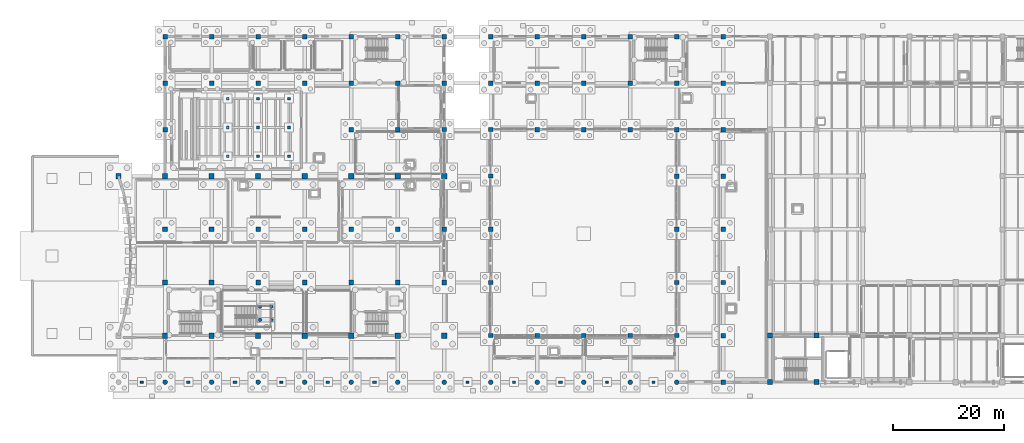
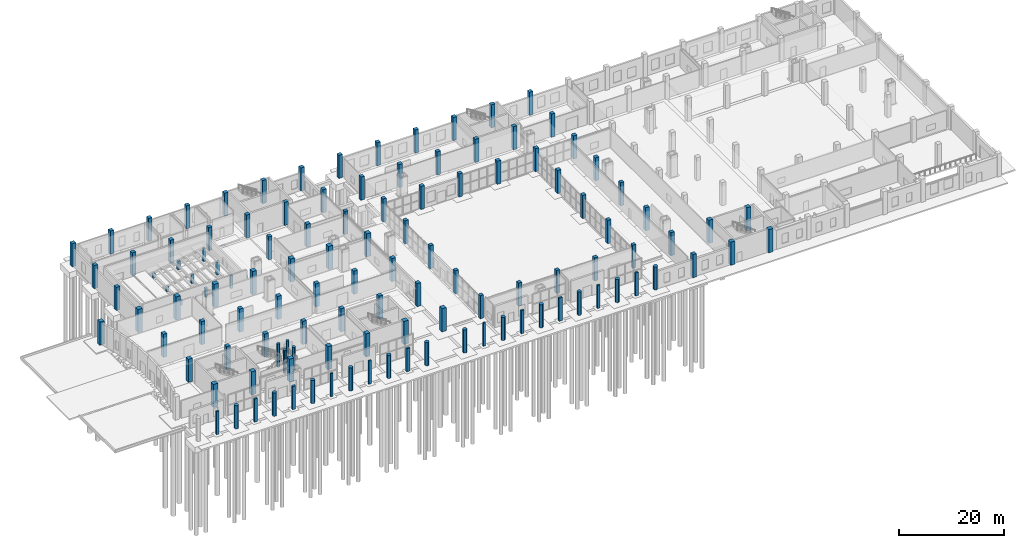
# One storey, part 8 of 65: 121 columns.
"""IFC4 building model written with IfcOpenShell, lengths in metres."""

from ifc_helpers import new_model, si_unit, direction, frame, origin, origin_2d, place, context, subcontext, project, spatial, rectangle, circle, extrude, material, material_profile, profile_set, type_object, element, save


model = new_model("IFC4")

# Units and contexts
model_context = context("Model", 3, precision=1e-05, world=origin(), true_north=direction((0.0, 1.0)))
body_context = subcontext(model_context, "Body", "Model", "MODEL_VIEW")
ifc_project = project(units=[si_unit("LENGTHUNIT", "METRE"), si_unit("AREAUNIT", "SQUARE_METRE"), si_unit("VOLUMEUNIT", "CUBIC_METRE"), si_unit("PLANEANGLEUNIT", "RADIAN"), si_unit("MASSUNIT", "GRAM", prefix="KILO")], contexts=[model_context])

# Site, building, storey
site_placement = place(None, origin())
site = spatial("IfcSite", under=ifc_project, at=site_placement, CompositionType="ELEMENT")
building_placement = place(site_placement, origin())
building = spatial("IfcBuilding", under=site, at=building_placement, Name="Zulmaris Art Gallery", CompositionType="ELEMENT")
storey_placement = place(building_placement, origin())
storey = spatial("IfcBuildingStorey", under=building, at=storey_placement, Name="L00", CompositionType="ELEMENT", Elevation=0.0)

# Columns
ifc_material_1 = material(Name="Concrete C40/50", Category="concrete")
ifc_material_profile_1 = material_profile(ifc_material_1, circle(Radius=0.324951171875, at=origin_2d()), Name="COL DIA 650")
ifc_profile_set_1 = profile_set([ifc_material_profile_1], Name="Concrete C40/50")
column_type_1 = type_object("IfcColumnType", Name="COL-COL-DIA-650", PredefinedType="COLUMN", material=ifc_profile_set_1)
for number, where, z_axis, x_axis, name in (
    (1, (49.550048828125, 24.449951171875, 0.0), (0.0, 0.0, 1.0), (1.0, 0.0, 0.0), "Grand stair ST6 L00 landing column 1"),
    (2, (51.550048828125, 24.449951171875, 0.0), (0.0, 0.0, 1.0), (1.0, 0.0, 0.0), "Grand stair ST6 L00 landing column 2"),
    (3, (49.550048828125, 26.85009765625, 0.0), (0.0, 0.0, 1.0), (1.0, 0.0, 0.0), "Grand stair ST6 L00 landing column 3"),
    (4, (51.550048828125, 26.85009765625, 0.0), (0.0, 0.0, 1.0), (1.0, 0.0, 0.0), "Grand stair ST6 L00 landing column 4"),
):
    element("IfcColumn", number, at=place(storey_placement, frame(where, z_axis=z_axis, x_axis=x_axis)), inside=storey, type_object=column_type_1, Name=name, PredefinedType="COLUMN", context=body_context, shape_type="SweptSolid", body=[
        extrude(circle(Radius=0.324951171875, at=origin_2d()), origin(), (0.0, 0.0, 1.0), 5.39990234375),
    ])
ifc_material_2 = material(Name="Concrete C50/60", Category="concrete")
ifc_material_profile_2 = material_profile(ifc_material_2, circle(Radius=0.425048828125, at=origin_2d()), Name="COL DIA 850")
ifc_profile_set_2 = profile_set([ifc_material_profile_2], Name="Concrete C50/60")
column_type_2 = type_object("IfcColumnType", Name="COL-COL-DIA-850", PredefinedType="COLUMN", material=ifc_profile_set_2)
for number, where, z_axis, x_axis, name in (
    (5, (32.39990234375, 13.199951171875, 0.0), (0.0, 0.0, 1.0), (1.0, 0.0, 0.0), "L00 structural column (32.4, 13.2)"),
    (6, (40.800048828125, 13.199951171875, 0.0), (0.0, 0.0, 1.0), (1.0, 0.0, 0.0), "L00 structural column (40.8, 13.2)"),
    (7, (49.199951171875, 13.199951171875, 0.0), (0.0, 0.0, 1.0), (1.0, 0.0, 0.0), "L00 structural column (49.2, 13.2)"),
    (8, (57.60009765625, 13.199951171875, 0.0), (0.0, 0.0, 1.0), (1.0, 0.0, 0.0), "L00 structural column (57.6, 13.2)"),
    (9, (66.0, 13.199951171875, 0.0), (0.0, 0.0, 1.0), (1.0, 0.0, 0.0), "L00 structural column (66.0, 13.2)"),
    (10, (74.39990234375, 13.199951171875, 0.0), (0.0, 0.0, 1.0), (1.0, 0.0, 0.0), "L00 structural column (74.4, 13.2)"),
    (11, (82.800048828125, 13.199951171875, 0.0), (0.0, 0.0, 1.0), (1.0, 0.0, 0.0), "L00 structural column (82.8, 13.2)"),
    (12, (91.199951171875, 13.199951171875, 0.0), (0.0, 0.0, 1.0), (1.0, 0.0, 0.0), "L00 structural column (91.2, 13.2)"),
    (13, (99.60009765625, 13.199951171875, 0.0), (0.0, 0.0, 1.0), (1.0, 0.0, 0.0), "L00 structural column (99.6, 13.2)"),
    (14, (108.0, 13.199951171875, 0.0), (0.0, 0.0, 1.0), (1.0, 0.0, 0.0), "L00 structural column (108.0, 13.2)"),
    (15, (116.39990234375, 13.199951171875, 0.0), (0.0, 0.0, 1.0), (1.0, 0.0, 0.0), "L00 structural column (116.4, 13.2)"),
    (16, (124.800048828125, 13.199951171875, 0.0), (0.0, 0.0, 1.0), (1.0, 0.0, 0.0), "L00 structural column (124.8, 13.2)"),
):
    element("IfcColumn", number, at=place(storey_placement, frame(where, z_axis=z_axis, x_axis=x_axis)), inside=storey, type_object=column_type_2, Name=name, PredefinedType="COLUMN", context=body_context, shape_type="SweptSolid", body=[
        extrude(circle(Radius=0.425048828125, at=origin_2d()), origin(), (0.0, 0.0, 1.0), 5.39990234375),
    ])
ifc_material_profile_3 = material_profile(ifc_material_1, rectangle(XDim=0.5, YDim=0.5, at=origin_2d()), Name="RC 500x500")
ifc_profile_set_3 = profile_set([ifc_material_profile_3], Name="Concrete C40/50")
column_type_3 = type_object("IfcColumnType", Name="COL-RC-500x500", PredefinedType="COLUMN", material=ifc_profile_set_3)
column_1_placement = place(storey_placement, frame((43.699951171875, 54.0, 0.0), z_axis=(0.0, 0.0, 1.0), x_axis=(1.0, 0.0, 0.0)))
element("IfcColumn", 17, at=column_1_placement, inside=storey, type_object=column_type_3, Name="Auditorium raker column 1-1", PredefinedType="COLUMN", context=body_context, shape_type="SweptSolid", body=[
    extrude(rectangle(XDim=0.5, YDim=0.5, at=origin_2d()), origin(), (0.0, 0.0, 1.0), 1.131591796875),
])
column_2_placement = place(storey_placement, frame((49.199951171875, 54.0, 0.0), z_axis=(0.0, 0.0, 1.0), x_axis=(1.0, 0.0, 0.0)))
element("IfcColumn", 18, at=column_2_placement, inside=storey, type_object=column_type_3, Name="Auditorium raker column 1-2", PredefinedType="COLUMN", context=body_context, shape_type="SweptSolid", body=[
    extrude(rectangle(XDim=0.5, YDim=0.5, at=origin_2d()), origin(), (0.0, 0.0, 1.0), 2.0556640625),
])
column_3_placement = place(storey_placement, frame((54.800048828125, 54.0, 0.0), z_axis=(0.0, 0.0, 1.0), x_axis=(1.0, 0.0, 0.0)))
element("IfcColumn", 19, at=column_3_placement, inside=storey, type_object=column_type_3, Name="Auditorium raker column 1-3", PredefinedType="COLUMN", context=body_context, shape_type="SweptSolid", body=[
    extrude(rectangle(XDim=0.5, YDim=0.5, at=origin_2d()), origin(), (0.0, 0.0, 1.0), 2.996337890625),
])
column_4_placement = place(storey_placement, frame((43.699951171875, 59.199951171875, 0.0), z_axis=(0.0, 0.0, 1.0), x_axis=(1.0, 0.0, 0.0)))
element("IfcColumn", 20, at=column_4_placement, inside=storey, type_object=column_type_3, Name="Auditorium raker column 2-1", PredefinedType="COLUMN", context=body_context, shape_type="SweptSolid", body=[
    extrude(rectangle(XDim=0.5, YDim=0.5, at=origin_2d()), origin(), (0.0, 0.0, 1.0), 1.131591796875),
])
column_5_placement = place(storey_placement, frame((49.199951171875, 59.199951171875, 0.0), z_axis=(0.0, 0.0, 1.0), x_axis=(1.0, 0.0, 0.0)))
element("IfcColumn", 21, at=column_5_placement, inside=storey, type_object=column_type_3, Name="Auditorium raker column 2-2", PredefinedType="COLUMN", context=body_context, shape_type="SweptSolid", body=[
    extrude(rectangle(XDim=0.5, YDim=0.5, at=origin_2d()), origin(), (0.0, 0.0, 1.0), 2.0556640625),
])
column_6_placement = place(storey_placement, frame((54.800048828125, 59.199951171875, 0.0), z_axis=(0.0, 0.0, 1.0), x_axis=(1.0, 0.0, 0.0)))
element("IfcColumn", 22, at=column_6_placement, inside=storey, type_object=column_type_3, Name="Auditorium raker column 2-3", PredefinedType="COLUMN", context=body_context, shape_type="SweptSolid", body=[
    extrude(rectangle(XDim=0.5, YDim=0.5, at=origin_2d()), origin(), (0.0, 0.0, 1.0), 2.996337890625),
])
column_7_placement = place(storey_placement, frame((43.699951171875, 64.39990234375, 0.0), z_axis=(0.0, 0.0, 1.0), x_axis=(1.0, 0.0, 0.0)))
element("IfcColumn", 23, at=column_7_placement, inside=storey, type_object=column_type_3, Name="Auditorium raker column 3-1", PredefinedType="COLUMN", context=body_context, shape_type="SweptSolid", body=[
    extrude(rectangle(XDim=0.5, YDim=0.5, at=origin_2d()), origin(), (0.0, 0.0, 1.0), 1.131591796875),
])
column_8_placement = place(storey_placement, frame((49.199951171875, 64.39990234375, 0.0), z_axis=(0.0, 0.0, 1.0), x_axis=(1.0, 0.0, 0.0)))
element("IfcColumn", 24, at=column_8_placement, inside=storey, type_object=column_type_3, Name="Auditorium raker column 3-2", PredefinedType="COLUMN", context=body_context, shape_type="SweptSolid", body=[
    extrude(rectangle(XDim=0.5, YDim=0.5, at=origin_2d()), origin(), (0.0, 0.0, 1.0), 2.0556640625),
])
column_9_placement = place(storey_placement, frame((54.800048828125, 64.39990234375, 0.0), z_axis=(0.0, 0.0, 1.0), x_axis=(1.0, 0.0, 0.0)))
element("IfcColumn", 25, at=column_9_placement, inside=storey, type_object=column_type_3, Name="Auditorium raker column 3-3", PredefinedType="COLUMN", context=body_context, shape_type="SweptSolid", body=[
    extrude(rectangle(XDim=0.5, YDim=0.5, at=origin_2d()), origin(), (0.0, 0.0, 1.0), 2.996337890625),
])
ifc_material_profile_4 = material_profile(ifc_material_1, rectangle(XDim=0.75, YDim=0.75, at=origin_2d()), Name="RC 750x750")
ifc_profile_set_4 = profile_set([ifc_material_profile_4], Name="Concrete C40/50")
column_type_4 = type_object("IfcColumnType", Name="COL-RC-750x750", PredefinedType="COLUMN", material=ifc_profile_set_4)
for number, where, z_axis, x_axis, name in (
    (26, (82.800048828125, 58.800048828125, 0.0), (0.0, 0.0, 1.0), (1.0, 0.0, 0.0), "L00 structural column (82.8, 58.8)"),
    (27, (91.199951171875, 21.60009765625, 0.0), (0.0, 0.0, 1.0), (1.0, 0.0, 0.0), "L00 structural column (91.2, 21.6)"),
    (28, (91.199951171875, 31.199951171875, 0.0), (0.0, 0.0, 1.0), (1.0, 0.0, 0.0), "L00 structural column (91.2, 31.2)"),
    (29, (91.199951171875, 40.800048828125, 0.0), (0.0, 0.0, 1.0), (1.0, 0.0, 0.0), "L00 structural column (91.2, 40.8)"),
    (30, (91.199951171875, 50.39990234375, 0.0), (0.0, 0.0, 1.0), (1.0, 0.0, 0.0), "L00 structural column (91.2, 50.4)"),
    (31, (91.199951171875, 58.800048828125, 0.0), (0.0, 0.0, 1.0), (1.0, 0.0, 0.0), "L00 structural column (91.2, 58.8)"),
    (32, (99.60009765625, 21.60009765625, 0.0), (0.0, 0.0, 1.0), (1.0, 0.0, 0.0), "L00 structural column (99.6, 21.6)"),
    (33, (108.0, 21.60009765625, 0.0), (0.0, 0.0, 1.0), (1.0, 0.0, 0.0), "L00 structural column (108.0, 21.6)"),
    (34, (116.39990234375, 21.60009765625, 0.0), (0.0, 0.0, 1.0), (1.0, 0.0, 0.0), "L00 structural column (116.4, 21.6)"),
    (35, (124.800048828125, 21.60009765625, 0.0), (0.0, 0.0, 1.0), (1.0, 0.0, 0.0), "L00 structural column (124.8, 21.6)"),
):
    element("IfcColumn", number, at=place(storey_placement, frame(where, z_axis=z_axis, x_axis=x_axis)), inside=storey, type_object=column_type_4, Name=name, PredefinedType="COLUMN", context=body_context, shape_type="SweptSolid", body=[
        extrude(rectangle(XDim=0.75, YDim=0.75, at=origin_2d()), origin(), (0.0, 0.0, 1.0), 5.39990234375),
    ])
ifc_material_profile_5 = material_profile(ifc_material_1, rectangle(XDim=0.800048828125, YDim=0.800048828125, at=origin_2d()), Name="RC 800x800")
ifc_profile_set_5 = profile_set([ifc_material_profile_5], Name="Concrete C40/50")
column_type_5 = type_object("IfcColumnType", Name="COL-RC-800x800", PredefinedType="COLUMN", material=ifc_profile_set_5)
for number, where, z_axis, x_axis, name in (
    (36, (32.39990234375, 58.800048828125, 0.0), (0.0, 0.0, 1.0), (1.0, 0.0, 0.0), "L00 structural column (32.4, 58.8)"),
    (37, (32.39990234375, 67.199951171875, 0.0), (0.0, 0.0, 1.0), (1.0, 0.0, 0.0), "L00 structural column (32.4, 67.2)"),
    (38, (32.39990234375, 75.60009765625, 0.0), (0.0, 0.0, 1.0), (1.0, 0.0, 0.0), "L00 structural column (32.4, 75.6)"),
    (39, (40.800048828125, 67.199951171875, 0.0), (0.0, 0.0, 1.0), (1.0, 0.0, 0.0), "L00 structural column (40.8, 67.2)"),
    (40, (40.800048828125, 75.60009765625, 0.0), (0.0, 0.0, 1.0), (1.0, 0.0, 0.0), "L00 structural column (40.8, 75.6)"),
    (41, (49.199951171875, 67.199951171875, 0.0), (0.0, 0.0, 1.0), (1.0, 0.0, 0.0), "L00 structural column (49.2, 67.2)"),
    (42, (49.199951171875, 75.60009765625, 0.0), (0.0, 0.0, 1.0), (1.0, 0.0, 0.0), "L00 structural column (49.2, 75.6)"),
    (43, (57.60009765625, 67.199951171875, 0.0), (0.0, 0.0, 1.0), (1.0, 0.0, 0.0), "L00 structural column (57.6, 67.2)"),
    (44, (57.60009765625, 75.60009765625, 0.0), (0.0, 0.0, 1.0), (1.0, 0.0, 0.0), "L00 structural column (57.6, 75.6)"),
    (45, (66.0, 58.800048828125, 0.0), (0.0, 0.0, 1.0), (1.0, 0.0, 0.0), "L00 structural column (66.0, 58.8)"),
    (46, (66.0, 67.199951171875, 0.0), (0.0, 0.0, 1.0), (1.0, 0.0, 0.0), "L00 structural column (66.0, 67.2)"),
    (47, (66.0, 75.60009765625, 0.0), (0.0, 0.0, 1.0), (1.0, 0.0, 0.0), "L00 structural column (66.0, 75.6)"),
    (48, (74.39990234375, 58.800048828125, 0.0), (0.0, 0.0, 1.0), (1.0, 0.0, 0.0), "L00 structural column (74.4, 58.8)"),
    (49, (74.39990234375, 67.199951171875, 0.0), (0.0, 0.0, 1.0), (1.0, 0.0, 0.0), "L00 structural column (74.4, 67.2)"),
    (50, (74.39990234375, 75.60009765625, 0.0), (0.0, 0.0, 1.0), (1.0, 0.0, 0.0), "L00 structural column (74.4, 75.6)"),
    (51, (82.800048828125, 67.199951171875, 0.0), (0.0, 0.0, 1.0), (1.0, 0.0, 0.0), "L00 structural column (82.8, 67.2)"),
    (52, (82.800048828125, 75.60009765625, 0.0), (0.0, 0.0, 1.0), (1.0, 0.0, 0.0), "L00 structural column (82.8, 75.6)"),
    (53, (91.199951171875, 67.199951171875, 0.0), (0.0, 0.0, 1.0), (1.0, 0.0, 0.0), "L00 structural column (91.2, 67.2)"),
    (54, (91.199951171875, 75.60009765625, 0.0), (0.0, 0.0, 1.0), (1.0, 0.0, 0.0), "L00 structural column (91.2, 75.6)"),
    (55, (99.60009765625, 58.800048828125, 0.0), (0.0, 0.0, 1.0), (1.0, 0.0, 0.0), "L00 structural column (99.6, 58.8)"),
    (56, (99.60009765625, 67.199951171875, 0.0), (0.0, 0.0, 1.0), (1.0, 0.0, 0.0), "L00 structural column (99.6, 67.2)"),
    (57, (99.60009765625, 75.60009765625, 0.0), (0.0, 0.0, 1.0), (1.0, 0.0, 0.0), "L00 structural column (99.6, 75.6)"),
    (58, (108.0, 58.800048828125, 0.0), (0.0, 0.0, 1.0), (1.0, 0.0, 0.0), "L00 structural column (108.0, 58.8)"),
    (59, (108.0, 67.199951171875, 0.0), (0.0, 0.0, 1.0), (1.0, 0.0, 0.0), "L00 structural column (108.0, 67.2)"),
    (60, (108.0, 75.60009765625, 0.0), (0.0, 0.0, 1.0), (1.0, 0.0, 0.0), "L00 structural column (108.0, 75.6)"),
    (61, (116.39990234375, 58.800048828125, 0.0), (0.0, 0.0, 1.0), (1.0, 0.0, 0.0), "L00 structural column (116.4, 58.8)"),
    (62, (116.39990234375, 67.199951171875, 0.0), (0.0, 0.0, 1.0), (1.0, 0.0, 0.0), "L00 structural column (116.4, 67.2)"),
    (63, (116.39990234375, 75.60009765625, 0.0), (0.0, 0.0, 1.0), (1.0, 0.0, 0.0), "L00 structural column (116.4, 75.6)"),
    (64, (124.800048828125, 31.199951171875, 0.0), (0.0, 0.0, 1.0), (1.0, 0.0, 0.0), "L00 structural column (124.8, 31.2)"),
    (65, (124.800048828125, 40.800048828125, 0.0), (0.0, 0.0, 1.0), (1.0, 0.0, 0.0), "L00 structural column (124.8, 40.8)"),
    (66, (124.800048828125, 50.39990234375, 0.0), (0.0, 0.0, 1.0), (1.0, 0.0, 0.0), "L00 structural column (124.8, 50.4)"),
    (67, (124.800048828125, 58.800048828125, 0.0), (0.0, 0.0, 1.0), (1.0, 0.0, 0.0), "L00 structural column (124.8, 58.8)"),
    (68, (124.800048828125, 67.199951171875, 0.0), (0.0, 0.0, 1.0), (1.0, 0.0, 0.0), "L00 structural column (124.8, 67.2)"),
    (69, (124.800048828125, 75.60009765625, 0.0), (0.0, 0.0, 1.0), (1.0, 0.0, 0.0), "L00 structural column (124.8, 75.6)"),
    (70, (133.199951171875, 13.199951171875, 0.0), (0.0, 0.0, 1.0), (1.0, 0.0, 0.0), "L00 structural column (133.2, 13.2)"),
    (71, (133.199951171875, 21.60009765625, 0.0), (0.0, 0.0, 1.0), (1.0, 0.0, 0.0), "L00 structural column (133.2, 21.6)"),
    (72, (133.199951171875, 31.199951171875, 0.0), (0.0, 0.0, 1.0), (1.0, 0.0, 0.0), "L00 structural column (133.2, 31.2)"),
    (73, (133.199951171875, 40.800048828125, 0.0), (0.0, 0.0, 1.0), (1.0, 0.0, 0.0), "L00 structural column (133.2, 40.8)"),
    (74, (133.199951171875, 50.39990234375, 0.0), (0.0, 0.0, 1.0), (1.0, 0.0, 0.0), "L00 structural column (133.2, 50.4)"),
    (75, (133.199951171875, 58.800048828125, 0.0), (0.0, 0.0, 1.0), (1.0, 0.0, 0.0), "L00 structural column (133.2, 58.8)"),
    (76, (133.199951171875, 67.199951171875, 0.0), (0.0, 0.0, 1.0), (1.0, 0.0, 0.0), "L00 structural column (133.2, 67.2)"),
    (77, (133.199951171875, 75.60009765625, 0.0), (0.0, 0.0, 1.0), (1.0, 0.0, 0.0), "L00 structural column (133.2, 75.6)"),
):
    element("IfcColumn", number, at=place(storey_placement, frame(where, z_axis=z_axis, x_axis=x_axis)), inside=storey, type_object=column_type_5, Name=name, PredefinedType="COLUMN", context=body_context, shape_type="SweptSolid", body=[
        extrude(rectangle(XDim=0.800048828125, YDim=0.800048828125, at=origin_2d()), origin(), (0.0, 0.0, 1.0), 5.39990234375),
    ])
ifc_material_profile_6 = material_profile(ifc_material_2, rectangle(XDim=0.85009765625, YDim=0.85009765625, at=origin_2d()), Name="RC 850x850")
ifc_profile_set_6 = profile_set([ifc_material_profile_6], Name="Concrete C50/60")
column_type_6 = type_object("IfcColumnType", Name="COL-RC-850x850", PredefinedType="COLUMN", material=ifc_profile_set_6)
for number, where, z_axis, x_axis, name in (
    (78, (32.39990234375, 31.199951171875, 0.0), (0.0, 0.0, 1.0), (1.0, 0.0, 0.0), "L00 structural column (32.4, 31.2)"),
    (79, (32.39990234375, 40.800048828125, 0.0), (0.0, 0.0, 1.0), (1.0, 0.0, 0.0), "L00 structural column (32.4, 40.8)"),
    (80, (40.800048828125, 31.199951171875, 0.0), (0.0, 0.0, 1.0), (1.0, 0.0, 0.0), "L00 structural column (40.8, 31.2)"),
    (81, (40.800048828125, 40.800048828125, 0.0), (0.0, 0.0, 1.0), (1.0, 0.0, 0.0), "L00 structural column (40.8, 40.8)"),
    (82, (49.199951171875, 31.199951171875, 0.0), (0.0, 0.0, 1.0), (1.0, 0.0, 0.0), "L00 structural column (49.2, 31.2)"),
    (83, (49.199951171875, 40.800048828125, 0.0), (0.0, 0.0, 1.0), (1.0, 0.0, 0.0), "L00 structural column (49.2, 40.8)"),
    (84, (57.60009765625, 31.199951171875, 0.0), (0.0, 0.0, 1.0), (1.0, 0.0, 0.0), "L00 structural column (57.6, 31.2)"),
    (85, (57.60009765625, 40.800048828125, 0.0), (0.0, 0.0, 1.0), (1.0, 0.0, 0.0), "L00 structural column (57.6, 40.8)"),
    (86, (66.0, 31.199951171875, 0.0), (0.0, 0.0, 1.0), (1.0, 0.0, 0.0), "L00 structural column (66.0, 31.2)"),
    (87, (66.0, 40.800048828125, 0.0), (0.0, 0.0, 1.0), (1.0, 0.0, 0.0), "L00 structural column (66.0, 40.8)"),
    (88, (74.39990234375, 31.199951171875, 0.0), (0.0, 0.0, 1.0), (1.0, 0.0, 0.0), "L00 structural column (74.4, 31.2)"),
    (89, (74.39990234375, 40.800048828125, 0.0), (0.0, 0.0, 1.0), (1.0, 0.0, 0.0), "L00 structural column (74.4, 40.8)"),
    (90, (82.800048828125, 31.199951171875, 0.0), (0.0, 0.0, 1.0), (1.0, 0.0, 0.0), "L00 structural column (82.8, 31.2)"),
    (91, (82.800048828125, 40.800048828125, 0.0), (0.0, 0.0, 1.0), (1.0, 0.0, 0.0), "L00 structural column (82.8, 40.8)"),
):
    element("IfcColumn", number, at=place(storey_placement, frame(where, z_axis=z_axis, x_axis=x_axis)), inside=storey, type_object=column_type_6, Name=name, PredefinedType="COLUMN", context=body_context, shape_type="SweptSolid", body=[
        extrude(rectangle(XDim=0.85009765625, YDim=0.85009765625, at=origin_2d()), origin(), (0.0, 0.0, 1.0), 5.39990234375),
    ])
ifc_material_profile_7 = material_profile(ifc_material_2, rectangle(XDim=0.89990234375, YDim=0.89990234375, at=origin_2d()), Name="RC 900x900")
ifc_profile_set_7 = profile_set([ifc_material_profile_7], Name="Concrete C50/60")
column_type_7 = type_object("IfcColumnType", Name="COL-RC-900x900", PredefinedType="COLUMN", material=ifc_profile_set_7)
for number, where, z_axis, x_axis, name in (
    (92, (141.60009765625, 13.199951171875, 0.0), (0.0, 0.0, 1.0), (1.0, 0.0, 0.0), "L00 structural column (141.6, 13.2)"),
    (93, (141.60009765625, 21.60009765625, 0.0), (0.0, 0.0, 1.0), (1.0, 0.0, 0.0), "L00 structural column (141.6, 21.6)"),
    (94, (150.0, 13.199951171875, 0.0), (0.0, 0.0, 1.0), (1.0, 0.0, 0.0), "L00 structural column (150.0, 13.2)"),
    (95, (150.0, 21.60009765625, 0.0), (0.0, 0.0, 1.0), (1.0, 0.0, 0.0), "L00 structural column (150.0, 21.6)"),
):
    element("IfcColumn", number, at=place(storey_placement, frame(where, z_axis=z_axis, x_axis=x_axis)), inside=storey, type_object=column_type_7, Name=name, PredefinedType="COLUMN", context=body_context, shape_type="SweptSolid", body=[
        extrude(rectangle(XDim=0.89990234375, YDim=0.89990234375, at=origin_2d()), origin(), (0.0, 0.0, 1.0), 5.39990234375),
    ])
ifc_material_profile_8 = material_profile(ifc_material_2, rectangle(XDim=0.949951171875, YDim=0.949951171875, at=origin_2d()), Name="RC 950x950")
ifc_profile_set_8 = profile_set([ifc_material_profile_8], Name="Concrete C50/60")
column_type_8 = type_object("IfcColumnType", Name="COL-RC-950x950", PredefinedType="COLUMN", material=ifc_profile_set_8)
for number, where, z_axis, x_axis, name in (
    (96, (24.0, 50.39990234375, 0.0), (0.0, 0.0, 1.0), (1.0, 0.0, 0.0), "L00 structural column (24.0, 50.4)"),
    (97, (32.39990234375, 21.60009765625, 0.0), (0.0, 0.0, 1.0), (1.0, 0.0, 0.0), "L00 structural column (32.4, 21.6)"),
    (98, (32.39990234375, 50.39990234375, 0.0), (0.0, 0.0, 1.0), (1.0, 0.0, 0.0), "L00 structural column (32.4, 50.4)"),
    (99, (40.800048828125, 21.60009765625, 0.0), (0.0, 0.0, 1.0), (1.0, 0.0, 0.0), "L00 structural column (40.8, 21.6)"),
    (100, (40.800048828125, 50.39990234375, 0.0), (0.0, 0.0, 1.0), (1.0, 0.0, 0.0), "L00 structural column (40.8, 50.4)"),
    (101, (49.199951171875, 21.60009765625, 0.0), (0.0, 0.0, 1.0), (1.0, 0.0, 0.0), "L00 structural column (49.2, 21.6)"),
    (102, (49.199951171875, 50.39990234375, 0.0), (0.0, 0.0, 1.0), (1.0, 0.0, 0.0), "L00 structural column (49.2, 50.4)"),
    (103, (57.60009765625, 21.60009765625, 0.0), (0.0, 0.0, 1.0), (1.0, 0.0, 0.0), "L00 structural column (57.6, 21.6)"),
    (104, (57.60009765625, 50.39990234375, 0.0), (0.0, 0.0, 1.0), (1.0, 0.0, 0.0), "L00 structural column (57.6, 50.4)"),
    (105, (66.0, 21.60009765625, 0.0), (0.0, 0.0, 1.0), (1.0, 0.0, 0.0), "L00 structural column (66.0, 21.6)"),
    (106, (66.0, 50.39990234375, 0.0), (0.0, 0.0, 1.0), (1.0, 0.0, 0.0), "L00 structural column (66.0, 50.4)"),
    (107, (74.39990234375, 21.60009765625, 0.0), (0.0, 0.0, 1.0), (1.0, 0.0, 0.0), "L00 structural column (74.4, 21.6)"),
    (108, (74.39990234375, 50.39990234375, 0.0), (0.0, 0.0, 1.0), (1.0, 0.0, 0.0), "L00 structural column (74.4, 50.4)"),
    (109, (82.800048828125, 21.60009765625, 0.0), (0.0, 0.0, 1.0), (1.0, 0.0, 0.0), "L00 structural column (82.8, 21.6)"),
    (110, (82.800048828125, 50.39990234375, 0.0), (0.0, 0.0, 1.0), (1.0, 0.0, 0.0), "L00 structural column (82.8, 50.4)"),
):
    element("IfcColumn", number, at=place(storey_placement, frame(where, z_axis=z_axis, x_axis=x_axis)), inside=storey, type_object=column_type_8, Name=name, PredefinedType="COLUMN", context=body_context, shape_type="SweptSolid", body=[
        extrude(rectangle(XDim=0.949951171875, YDim=0.949951171875, at=origin_2d()), origin(), (0.0, 0.0, 1.0), 5.39990234375),
    ])
ifc_material_profile_9 = material_profile(ifc_material_1, rectangle(XDim=0.5, YDim=0.35009765625, at=origin_2d()), Name="PIL 500x350")
ifc_profile_set_9 = profile_set([ifc_material_profile_9], Name="Concrete C40/50")
column_type_9 = type_object("IfcColumnType", Name="PILASTER-01", PredefinedType="PILASTER", material=ifc_profile_set_9)
for number, where, z_axis, x_axis, name in (
    (111, (28.199951171875, 13.199951171875, 0.0), (0.0, 0.0, 1.0), (1.0, 0.0, 0.0), "L00 fluted limestone pilaster 1"),
    (112, (53.39990234375, 13.199951171875, 0.0), (0.0, 0.0, 1.0), (1.0, 0.0, 0.0), "L00 fluted limestone pilaster 4"),
    (113, (87.0, 13.199951171875, 0.0), (0.0, 0.0, 1.0), (1.0, 0.0, 0.0), "L00 fluted limestone pilaster 7"),
    (114, (112.199951171875, 13.199951171875, 0.0), (0.0, 0.0, 1.0), (1.0, 0.0, 0.0), "L00 fluted limestone pilaster 10"),
):
    element("IfcColumn", number, at=place(storey_placement, frame(where, z_axis=z_axis, x_axis=x_axis)), inside=storey, type_object=column_type_9, Name=name, PredefinedType="PILASTER", context=body_context, shape_type="SweptSolid", body=[
        extrude(rectangle(XDim=0.5, YDim=0.35009765625, at=origin_2d()), origin(), (0.0, 0.0, 1.0), 5.39990234375),
    ])
ifc_material_profile_10 = material_profile(ifc_material_1, rectangle(XDim=0.60009765625, YDim=0.39990234375, at=origin_2d()), Name="PIL 600x400")
ifc_profile_set_10 = profile_set([ifc_material_profile_10], Name="Concrete C40/50")
column_type_10 = type_object("IfcColumnType", Name="PILASTER-02", PredefinedType="PILASTER", material=ifc_profile_set_10)
for number, where, z_axis, x_axis, name in (
    (115, (36.60009765625, 13.199951171875, 0.0), (0.0, 0.0, 1.0), (1.0, 0.0, 0.0), "L00 fluted limestone pilaster 2"),
    (116, (61.800048828125, 13.199951171875, 0.0), (0.0, 0.0, 1.0), (1.0, 0.0, 0.0), "L00 fluted limestone pilaster 5"),
    (117, (95.39990234375, 13.199951171875, 0.0), (0.0, 0.0, 1.0), (1.0, 0.0, 0.0), "L00 fluted limestone pilaster 8"),
    (118, (120.60009765625, 13.199951171875, 0.0), (0.0, 0.0, 1.0), (1.0, 0.0, 0.0), "L00 fluted limestone pilaster 11"),
):
    element("IfcColumn", number, at=place(storey_placement, frame(where, z_axis=z_axis, x_axis=x_axis)), inside=storey, type_object=column_type_10, Name=name, PredefinedType="PILASTER", context=body_context, shape_type="SweptSolid", body=[
        extrude(rectangle(XDim=0.60009765625, YDim=0.39990234375, at=origin_2d()), origin(), (0.0, 0.0, 1.0), 5.39990234375),
    ])
ifc_material_profile_11 = material_profile(ifc_material_1, rectangle(XDim=0.699951171875, YDim=0.449951171875, at=origin_2d()), Name="PIL 700x450")
ifc_profile_set_11 = profile_set([ifc_material_profile_11], Name="Concrete C40/50")
column_type_11 = type_object("IfcColumnType", Name="PILASTER-03", PredefinedType="PILASTER", material=ifc_profile_set_11)
for number, where, z_axis, x_axis, name in (
    (119, (45.0, 13.199951171875, 0.0), (0.0, 0.0, 1.0), (1.0, 0.0, 0.0), "L00 fluted limestone pilaster 3"),
    (120, (70.199951171875, 13.199951171875, 0.0), (0.0, 0.0, 1.0), (1.0, 0.0, 0.0), "L00 fluted limestone pilaster 6"),
    (121, (103.800048828125, 13.199951171875, 0.0), (0.0, 0.0, 1.0), (1.0, 0.0, 0.0), "L00 fluted limestone pilaster 9"),
):
    element("IfcColumn", number, at=place(storey_placement, frame(where, z_axis=z_axis, x_axis=x_axis)), inside=storey, type_object=column_type_11, Name=name, PredefinedType="PILASTER", context=body_context, shape_type="SweptSolid", body=[
        extrude(rectangle(XDim=0.699951171875, YDim=0.449951171875, at=origin_2d()), origin(), (0.0, 0.0, 1.0), 5.39990234375),
    ])

save(model, "model.ifc")
